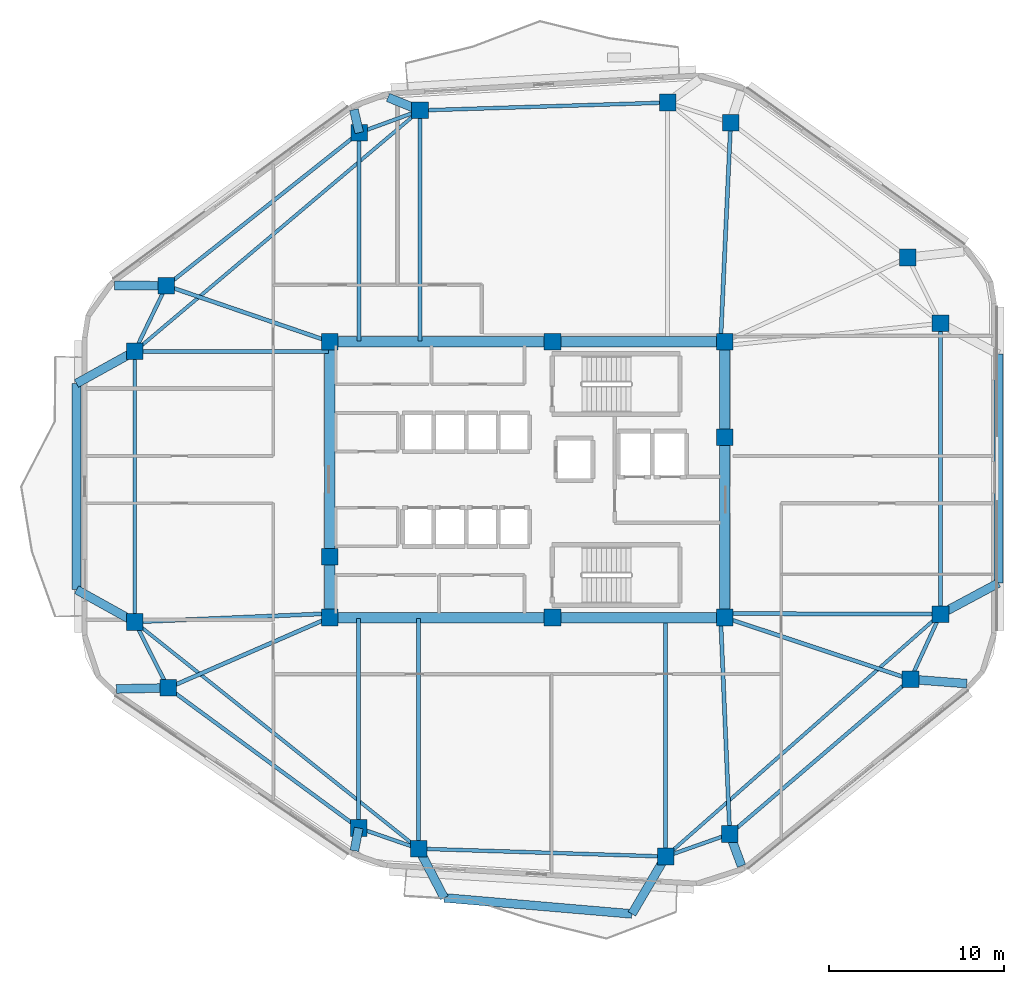
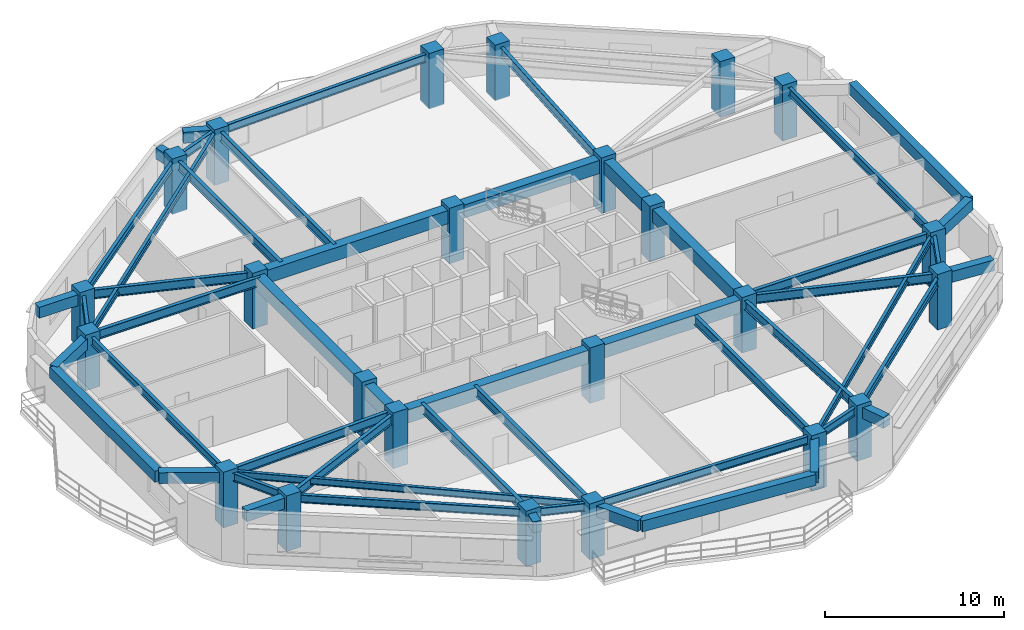
# One storey, part 1 of 9: 52 beams, 24 columns.
"""IFC4 building model written with IfcOpenShell, lengths in metres."""

from ifc_helpers import new_model, si_unit, direction, frame, origin, origin_2d, place, context, subcontext, project, spatial, rectangle, i_section, extrude, material, material_profile, profile_set, type_object, element, save


model = new_model("IFC4")

# Units and contexts
model_context = context("Model", 3, precision=1e-05, world=origin(), true_north=direction((0.0, 1.0)))
body_context = subcontext(model_context, "Body", "Model", "MODEL_VIEW")
ifc_project = project(units=[si_unit("LENGTHUNIT", "METRE"), si_unit("AREAUNIT", "SQUARE_METRE"), si_unit("VOLUMEUNIT", "CUBIC_METRE"), si_unit("PLANEANGLEUNIT", "RADIAN"), si_unit("MASSUNIT", "GRAM", prefix="KILO")], contexts=[model_context])

# Site, building, storey
site_placement = place(None, origin())
site = spatial("IfcSite", under=ifc_project, at=site_placement, CompositionType="ELEMENT")
building_placement = place(site_placement, origin())
building = spatial("IfcBuilding", under=site, at=building_placement, Name="Zulverin Broadcast Headquarters", CompositionType="ELEMENT")
storey_placement = place(building_placement, frame((0.0, 0.0, 212.39990234375)))
storey = spatial("IfcBuildingStorey", under=building, at=storey_placement, Name="L54", CompositionType="ELEMENT", Elevation=212.39990234375)

# Columns
ifc_material_1 = material(Name="Concrete C50/60", Category="concrete")
ifc_material_profile_1 = material_profile(ifc_material_1, rectangle(XDim=0.949951171875, YDim=0.949951171875, at=origin_2d()), Name="Concrete C50/60", Category="concrete")
ifc_profile_set_1 = profile_set([ifc_material_profile_1], Name="Concrete C50/60")
column_type_1 = type_object("IfcColumnType", Name="COL-RC-950", PredefinedType="COLUMN", material=ifc_profile_set_1)
for number, where, z_axis, x_axis, name in (
    (1, (30.80859375, 4.12744140625, 0.0), (0.0, 0.0, 1.0), (1.0, 0.0, 0.0), "L54 Perimeter Column T01"),
    (2, (44.909912109375, 3.68017578125, 0.0), (0.0, 0.0, 1.0), (1.0, 0.0, 0.0), "L54 Perimeter Column T02"),
    (3, (48.569580078125, 4.967041015625, 0.0), (0.0, 0.0, 1.0), (1.0, 0.0, 0.0), "L54 Perimeter Column T03"),
    (4, (58.886962890625, 13.798095703125, 0.0), (0.0, 0.0, 1.0), (1.0, 0.0, 0.0), "L54 Perimeter Column T04"),
    (5, (60.60009765625, 17.519287109375, 0.0), (0.0, 0.0, 1.0), (1.0, 0.0, 0.0), "L54 Perimeter Column T05"),
    (6, (60.60009765625, 34.12158203125, 0.0), (0.0, 0.0, 1.0), (1.0, 0.0, 0.0), "L54 Perimeter Column T06"),
    (7, (58.738037109375, 37.877685546875, 0.0), (0.0, 0.0, 1.0), (1.0, 0.0, 0.0), "L54 Perimeter Column T07"),
    (8, (48.62158203125, 45.574951171875, 0.0), (0.0, 0.0, 1.0), (1.0, 0.0, 0.0), "L54 Perimeter Column T08"),
    (9, (45.027587890625, 46.7236328125, 0.0), (0.0, 0.0, 1.0), (1.0, 0.0, 0.0), "L54 Perimeter Column T09"),
    (10, (30.882080078125, 46.27490234375, 0.0), (0.0, 0.0, 1.0), (1.0, 0.0, 0.0), "L54 Perimeter Column T10"),
    (11, (27.416259765625, 45.00439453125, 0.0), (0.0, 0.0, 1.0), (1.0, 0.0, 0.0), "L54 Perimeter Column T11"),
    (12, (16.40869140625, 36.26806640625, 0.0), (0.0, 0.0, 1.0), (1.0, 0.0, 0.0), "L54 Perimeter Column T12"),
    (13, (14.60009765625, 32.523193359375, 0.0), (0.0, 0.0, 1.0), (1.0, 0.0, 0.0), "L54 Perimeter Column T13"),
    (14, (14.60009765625, 17.072021484375, 0.0), (0.0, 0.0, 1.0), (1.0, 0.0, 0.0), "L54 Perimeter Column T14"),
    (15, (16.50537109375, 13.306884765625, 0.0), (0.0, 0.0, 1.0), (1.0, 0.0, 0.0), "L54 Perimeter Column T15"),
    (16, (27.38720703125, 5.309814453125, 0.0), (0.0, 0.0, 1.0), (1.0, 0.0, 0.0), "L54 Perimeter Column T16"),
):
    element("IfcColumn", number, at=place(storey_placement, frame(where, z_axis=z_axis, x_axis=x_axis)), inside=storey, type_object=column_type_1, Name=name, PredefinedType="COLUMN", context=body_context, shape_type="SweptSolid", body=[
        extrude(rectangle(XDim=0.949951171875, YDim=0.949951171875, at=origin_2d()), origin(), (0.0, 0.0, 1.0), 3.800048828125),
    ])
ifc_material_profile_2 = material_profile(ifc_material_1, rectangle(XDim=0.949951171875, YDim=0.949951171875, at=origin_2d()), Name="Concrete C50/60", Category="concrete")
ifc_profile_set_2 = profile_set([ifc_material_profile_2], Name="Concrete C50/60")
column_type_2 = type_object("IfcColumnType", Name="PIL-RC-950", PredefinedType="PILASTER", material=ifc_profile_set_2)
for number, where, z_axis, x_axis, name in (
    (17, (25.72509765625, 17.324951171875, 0.0), (0.0, 0.0, 1.0), (1.0, 0.0, 0.0), "L54 Core Pilaster K01"),
    (18, (38.449951171875, 17.324951171875, 0.0), (0.0, 0.0, 1.0), (1.0, 0.0, 0.0), "L54 Core Pilaster K02"),
    (19, (48.27490234375, 17.324951171875, 0.0), (0.0, 0.0, 1.0), (1.0, 0.0, 0.0), "L54 Core Pilaster K03"),
    (20, (48.27490234375, 27.6201171875, 0.0), (0.0, 0.0, 1.0), (1.0, 0.0, 0.0), "L54 Core Pilaster K04"),
    (21, (48.27490234375, 33.074951171875, 0.0), (0.0, 0.0, 1.0), (1.0, 0.0, 0.0), "L54 Core Pilaster K05"),
    (22, (38.449951171875, 33.074951171875, 0.0), (0.0, 0.0, 1.0), (1.0, 0.0, 0.0), "L54 Core Pilaster K06"),
    (23, (25.72509765625, 33.074951171875, 0.0), (0.0, 0.0, 1.0), (1.0, 0.0, 0.0), "L54 Core Pilaster K07"),
    (24, (25.72509765625, 20.800048828125, 0.0), (0.0, 0.0, 1.0), (1.0, 0.0, 0.0), "L54 Core Pilaster K08"),
):
    element("IfcColumn", number, at=place(storey_placement, frame(where, z_axis=z_axis, x_axis=x_axis)), inside=storey, type_object=column_type_2, Name=name, PredefinedType="PILASTER", context=body_context, shape_type="SweptSolid", body=[
        extrude(rectangle(XDim=0.949951171875, YDim=0.949951171875, at=origin_2d()), origin(), (0.0, 0.0, 1.0), 3.800048828125),
    ])

# Beams
ifc_material_2 = material(Name="Concrete C60/75", Category="concrete")
ifc_material_profile_3 = material_profile(ifc_material_2, rectangle(XDim=0.60009765625, YDim=0.89990234375, at=origin_2d()), Name="Concrete C60/75", Category="concrete")
ifc_profile_set_3 = profile_set([ifc_material_profile_3], Name="Concrete C60/75")
beam_type_1 = type_object("IfcBeamType", Name="BM-CB-600x900", PredefinedType="LINTEL", material=ifc_profile_set_3)
beam_1_placement = place(storey_placement, frame((25.72509765625, 17.324951171875, 3.090087890625), z_axis=(1.0, 0.0, 0.0), x_axis=(0.0, 1.0, 0.0)))
element("IfcBeam", 25, at=beam_1_placement, inside=storey, type_object=beam_type_1, Name="L54 Core Coupling Girder K01-K02", PredefinedType="LINTEL", context=body_context, shape_type="SweptSolid", body=[
    extrude(rectangle(XDim=0.60009765625, YDim=0.89990234375, at=origin_2d()), origin(), (0.0, 0.0, 1.0), 12.724853515625),
])
beam_2_placement = place(storey_placement, frame((38.449951171875, 17.324951171875, 3.090087890625), z_axis=(1.0, 0.0, 0.0), x_axis=(0.0, 1.0, 0.0)))
element("IfcBeam", 26, at=beam_2_placement, inside=storey, type_object=beam_type_1, Name="L54 Core Coupling Girder K02-K03", PredefinedType="LINTEL", context=body_context, shape_type="SweptSolid", body=[
    extrude(rectangle(XDim=0.60009765625, YDim=0.89990234375, at=origin_2d()), origin(), (0.0, 0.0, 1.0), 9.824951171875),
])
beam_3_placement = place(storey_placement, frame((48.27490234375, 17.324951171875, 3.090087890625), z_axis=(0.0, 1.0, 0.0), x_axis=(-1.0, 0.0, 0.0)))
element("IfcBeam", 27, at=beam_3_placement, inside=storey, type_object=beam_type_1, Name="L54 Core Coupling Girder K03-K04", PredefinedType="LINTEL", context=body_context, shape_type="SweptSolid", body=[
    extrude(rectangle(XDim=0.60009765625, YDim=0.89990234375, at=origin_2d()), origin(), (0.0, 0.0, 1.0), 10.295166015625),
])
beam_4_placement = place(storey_placement, frame((48.27490234375, 27.6201171875, 3.090087890625), z_axis=(0.0, 1.0, 0.0), x_axis=(-1.0, 0.0, 0.0)))
element("IfcBeam", 28, at=beam_4_placement, inside=storey, type_object=beam_type_1, Name="L54 Core Coupling Girder K04-K05", PredefinedType="LINTEL", context=body_context, shape_type="SweptSolid", body=[
    extrude(rectangle(XDim=0.60009765625, YDim=0.89990234375, at=origin_2d()), origin(), (0.0, 0.0, 1.0), 5.454833984375),
])
beam_5_placement = place(storey_placement, frame((48.27490234375, 33.074951171875, 3.090087890625), z_axis=(-1.0, 0.0, 0.0), x_axis=(0.0, -1.0, 0.0)))
element("IfcBeam", 29, at=beam_5_placement, inside=storey, type_object=beam_type_1, Name="L54 Core Coupling Girder K05-K06", PredefinedType="LINTEL", context=body_context, shape_type="SweptSolid", body=[
    extrude(rectangle(XDim=0.60009765625, YDim=0.89990234375, at=origin_2d()), origin(), (0.0, 0.0, 1.0), 9.824951171875),
])
beam_6_placement = place(storey_placement, frame((38.449951171875, 33.074951171875, 3.090087890625), z_axis=(-1.0, 0.0, 0.0), x_axis=(0.0, -1.0, 0.0)))
element("IfcBeam", 30, at=beam_6_placement, inside=storey, type_object=beam_type_1, Name="L54 Core Coupling Girder K06-K07", PredefinedType="LINTEL", context=body_context, shape_type="SweptSolid", body=[
    extrude(rectangle(XDim=0.60009765625, YDim=0.89990234375, at=origin_2d()), origin(), (0.0, 0.0, 1.0), 12.724853515625),
])
beam_7_placement = place(storey_placement, frame((25.72509765625, 33.074951171875, 3.090087890625), z_axis=(0.0, -1.0, 0.0), x_axis=(1.0, 0.0, 0.0)))
element("IfcBeam", 31, at=beam_7_placement, inside=storey, type_object=beam_type_1, Name="L54 Core Coupling Girder K07-K08", PredefinedType="LINTEL", context=body_context, shape_type="SweptSolid", body=[
    extrude(rectangle(XDim=0.60009765625, YDim=0.89990234375, at=origin_2d()), origin(), (0.0, 0.0, 1.0), 12.27490234375),
])
beam_8_placement = place(storey_placement, frame((25.72509765625, 20.800048828125, 3.090087890625), z_axis=(0.0, -1.0, 0.0), x_axis=(1.0, 0.0, 0.0)))
element("IfcBeam", 32, at=beam_8_placement, inside=storey, type_object=beam_type_1, Name="L54 Core Coupling Girder K08-K01", PredefinedType="LINTEL", context=body_context, shape_type="SweptSolid", body=[
    extrude(rectangle(XDim=0.60009765625, YDim=0.89990234375, at=origin_2d()), origin(), (0.0, 0.0, 1.0), 3.47509765625),
])
ifc_material_3 = material(Name="Concrete C40/50", Category="concrete")
ifc_material_profile_4 = material_profile(ifc_material_3, rectangle(XDim=0.5, YDim=0.75, at=origin_2d()), Name="Concrete C40/50", Category="concrete")
ifc_profile_set_4 = profile_set([ifc_material_profile_4], Name="Concrete C40/50")
beam_type_2 = type_object("IfcBeamType", Name="BM-RC-500x750", PredefinedType="BEAM", material=ifc_profile_set_4)
beam_9_placement = place(storey_placement, frame((48.569580078125, 4.967041015625, 3.1650390625), z_axis=(0.345752020663, -0.938325924297, 0.0), x_axis=(0.938325924297, 0.345752020663, 0.0)))
element("IfcBeam", 33, at=beam_9_placement, inside=storey, type_object=beam_type_2, Name="L55 Plate Overhang Back-Spanned Beam OVR-03", PredefinedType="BEAM", context=body_context, shape_type="SweptSolid", body=[
    extrude(rectangle(XDim=0.5, YDim=0.75, at=origin_2d()), origin(), (0.0, 0.0, 1.0), 1.939697265625),
])
beam_10_placement = place(storey_placement, frame((58.886962890625, 13.798095703125, 3.1650390625), z_axis=(0.997102032175, -0.076075866292, 0.0), x_axis=(0.076075866292, 0.997102032175, 0.0)))
element("IfcBeam", 34, at=beam_10_placement, inside=storey, type_object=beam_type_2, Name="L55 Plate Overhang Back-Spanned Beam OVR-04", PredefinedType="BEAM", context=body_context, shape_type="SweptSolid", body=[
    extrude(rectangle(XDim=0.5, YDim=0.75, at=origin_2d()), origin(), (0.0, 0.0, 1.0), 3.21875),
])
beam_11_placement = place(storey_placement, frame((30.882080078125, 46.27490234375, 3.1650390625), z_axis=(-0.925858251908, 0.377871006262, 0.0), x_axis=(-0.377871006262, -0.925858251908, 0.0)))
element("IfcBeam", 35, at=beam_11_placement, inside=storey, type_object=beam_type_2, Name="L55 Plate Overhang Back-Spanned Beam OVR-10", PredefinedType="BEAM", context=body_context, shape_type="SweptSolid", body=[
    extrude(rectangle(XDim=0.5, YDim=0.75, at=origin_2d()), origin(), (0.0, 0.0, 1.0), 1.971923828125),
])
beam_12_placement = place(storey_placement, frame((27.416259765625, 45.00439453125, 3.1650390625), z_axis=(-0.226537446689, 0.97400245649, 0.0), x_axis=(-0.97400245649, -0.226537446689, 0.0)))
element("IfcBeam", 36, at=beam_12_placement, inside=storey, type_object=beam_type_2, Name="L55 Plate Overhang Back-Spanned Beam OVR-11", PredefinedType="BEAM", context=body_context, shape_type="SweptSolid", body=[
    extrude(rectangle(XDim=0.5, YDim=0.75, at=origin_2d()), origin(), (0.0, 0.0, 1.0), 1.349365234375),
])
beam_13_placement = place(storey_placement, frame((16.40869140625, 36.26806640625, 3.1650390625), z_axis=(-0.999987827006, 0.004934150462, 0.0), x_axis=(-0.004934150462, -0.999987827006, 0.0)))
element("IfcBeam", 37, at=beam_13_placement, inside=storey, type_object=beam_type_2, Name="L55 Plate Overhang Back-Spanned Beam OVR-12", PredefinedType="BEAM", context=body_context, shape_type="SweptSolid", body=[
    extrude(rectangle(XDim=0.5, YDim=0.75, at=origin_2d()), origin(), (0.0, 0.0, 1.0), 2.96875),
])
beam_14_placement = place(storey_placement, frame((16.50537109375, 13.306884765625, 3.1650390625), z_axis=(-0.999808645539, -0.019562011805, 0.0), x_axis=(0.019562011805, -0.999808645539, 0.0)))
element("IfcBeam", 38, at=beam_14_placement, inside=storey, type_object=beam_type_2, Name="L55 Plate Overhang Back-Spanned Beam OVR-15", PredefinedType="BEAM", context=body_context, shape_type="SweptSolid", body=[
    extrude(rectangle(XDim=0.5, YDim=0.75, at=origin_2d()), origin(), (0.0, 0.0, 1.0), 2.957763671875),
])
beam_15_placement = place(storey_placement, frame((27.38720703125, 5.309814453125, 3.1650390625), z_axis=(-0.186527092112, -0.982449817501, 0.0), x_axis=(0.982449817501, -0.186527092112, 0.0)))
element("IfcBeam", 39, at=beam_15_placement, inside=storey, type_object=beam_type_2, Name="L55 Plate Overhang Back-Spanned Beam OVR-16", PredefinedType="BEAM", context=body_context, shape_type="SweptSolid", body=[
    extrude(rectangle(XDim=0.5, YDim=0.75, at=origin_2d()), origin(), (0.0, 0.0, 1.0), 1.3232421875),
])
beam_16_placement = place(storey_placement, frame((60.60009765625, 17.519287109375, 3.1650390625), z_axis=(0.881522552511, 0.472141916604, 0.0), x_axis=(-0.472141916604, 0.881522552511, 0.0)))
element("IfcBeam", 40, at=beam_16_placement, inside=storey, type_object=beam_type_2, Name="L55 Balcony Column-Framed Cantilever BAL_E-1", PredefinedType="BEAM", context=body_context, shape_type="SweptSolid", body=[
    extrude(rectangle(XDim=0.5, YDim=0.75, at=origin_2d()), origin(), (0.0, 0.0, 1.0), 3.75),
])
beam_17_placement = place(storey_placement, frame((63.90576171875, 19.289794921875, 3.1650390625), z_axis=(0.000298908969, 0.999999955327, 0.0), x_axis=(-0.999999955327, 0.000298908969, 0.0)))
element("IfcBeam", 41, at=beam_17_placement, inside=storey, type_object=beam_type_2, Name="L55 Balcony Outer Edge Trimmer Beam BAL_E", PredefinedType="BEAM", context=body_context, shape_type="SweptSolid", body=[
    extrude(rectangle(XDim=0.5, YDim=0.75, at=origin_2d()), origin(), (0.0, 0.0, 1.0), 13.068359375),
])
beam_18_placement = place(storey_placement, frame((30.80859375, 4.12744140625, 3.1650390625), z_axis=(0.461663742986, -0.887055008673, 0.0), x_axis=(0.887055008673, 0.461663742986, 0.0)))
element("IfcBeam", 42, at=beam_18_placement, inside=storey, type_object=beam_type_2, Name="L55 Balcony Column-Framed Cantilever BAL_S-1", PredefinedType="BEAM", context=body_context, shape_type="SweptSolid", body=[
    extrude(rectangle(XDim=0.5, YDim=0.75, at=origin_2d()), origin(), (0.0, 0.0, 1.0), 3.163330078125),
])
beam_19_placement = place(storey_placement, frame((44.909912109375, 3.68017578125, 3.1650390625), z_axis=(-0.506708442368, -0.862117482964, 0.0), x_axis=(0.862117482964, -0.506708442368, 0.0)))
element("IfcBeam", 43, at=beam_19_placement, inside=storey, type_object=beam_type_2, Name="L55 Balcony Column-Framed Cantilever BAL_S-2", PredefinedType="BEAM", context=body_context, shape_type="SweptSolid", body=[
    extrude(rectangle(XDim=0.5, YDim=0.75, at=origin_2d()), origin(), (0.0, 0.0, 1.0), 3.800048828125),
])
beam_20_placement = place(storey_placement, frame((32.26904296875, 1.3212890625, 3.1650390625), z_axis=(0.996356300804, -0.085288462568, 0.0), x_axis=(0.085288462568, 0.996356300804, 0.0)))
element("IfcBeam", 44, at=beam_20_placement, inside=storey, type_object=beam_type_2, Name="L55 Balcony Outer Edge Trimmer Beam BAL_S", PredefinedType="BEAM", context=body_context, shape_type="SweptSolid", body=[
    extrude(rectangle(XDim=0.5, YDim=0.75, at=origin_2d()), origin(), (0.0, 0.0, 1.0), 10.754638671875),
])
for number, where, z_axis, x_axis, name in (
    (45, (14.60009765625, 32.523193359375, 3.1650390625), (-0.875019567372, -0.484087550672, 0.0), (0.484087550672, -0.875019567372, 0.0), "L55 Balcony Column-Framed Cantilever BAL_W-1"),
    (46, (14.60009765625, 17.072021484375, 3.1650390625), (-0.874154245552, 0.485648386163, 0.0), (-0.485648386163, -0.874154245552, 0.0), "L55 Balcony Column-Framed Cantilever BAL_W-2"),
):
    element("IfcBeam", number, at=place(storey_placement, frame(where, z_axis=z_axis, x_axis=x_axis)), inside=storey, type_object=beam_type_2, Name=name, PredefinedType="BEAM", context=body_context, shape_type="SweptSolid", body=[
        extrude(rectangle(XDim=0.5, YDim=0.75, at=origin_2d()), origin(), (0.0, 0.0, 1.0), 3.800048828125),
    ])
beam_21_placement = place(storey_placement, frame((11.27490234375, 30.68359375, 3.1650390625), z_axis=(0.00029049258, -0.999999957807, 0.0), x_axis=(0.999999957807, 0.00029049258, 0.0)))
element("IfcBeam", 47, at=beam_21_placement, inside=storey, type_object=beam_type_2, Name="L55 Balcony Outer Edge Trimmer Beam BAL_W", PredefinedType="BEAM", context=body_context, shape_type="SweptSolid", body=[
    extrude(rectangle(XDim=0.5, YDim=0.75, at=origin_2d()), origin(), (0.0, 0.0, 1.0), 11.76611328125),
])
ifc_material_4 = material(Name="Structural steel S355JR", Category="steel")
ifc_material_profile_5 = material_profile(ifc_material_4, i_section(OverallWidth=0.19287109375, OverallDepth=0.46728515625, WebThickness=0.011474609375, FlangeThickness=0.01953125, at=origin_2d()), Name="Structural steel S355JR", Category="steel")
ifc_profile_set_5 = profile_set([ifc_material_profile_5], Name="Structural steel S355JR")
beam_type_3 = type_object("IfcBeamType", Name="BM-UB-457", PredefinedType="JOIST", material=ifc_profile_set_5)
beam_22_placement = place(storey_placement, frame((44.909912109375, 3.68017578125, 3.306396484375), z_axis=(0.74996043981, 0.661482682102, 0.0), x_axis=(-0.661482682102, 0.74996043981, 0.0)))
element("IfcBeam", 48, at=beam_22_placement, inside=storey, type_object=beam_type_3, Name="L54 Chordal Floor Joist J-01", PredefinedType="JOIST", context=body_context, shape_type="SweptSolid", body=[
    extrude(i_section(OverallWidth=0.19287109375, OverallDepth=0.46728515625, WebThickness=0.011474609375, FlangeThickness=0.01953125, at=origin_2d()), origin(), (0.0, 0.0, 1.0), 20.92138671875),
])
beam_23_placement = place(storey_placement, frame((30.882080078125, 46.27490234375, 3.306396484375), z_axis=(-0.763972566446, -0.645248725468, 0.0), x_axis=(0.645248725468, -0.763972566446, 0.0)))
element("IfcBeam", 49, at=beam_23_placement, inside=storey, type_object=beam_type_3, Name="L54 Chordal Floor Joist J-03", PredefinedType="JOIST", context=body_context, shape_type="SweptSolid", body=[
    extrude(i_section(OverallWidth=0.19287109375, OverallDepth=0.46728515625, WebThickness=0.011474609375, FlangeThickness=0.01953125, at=origin_2d()), origin(), (0.0, 0.0, 1.0), 21.312255859375),
])
beam_24_placement = place(storey_placement, frame((14.60009765625, 17.072021484375, 3.306396484375), z_axis=(0.781390996609, -0.624041753746, 0.0), x_axis=(0.624041753746, 0.781390996609, 0.0)))
element("IfcBeam", 50, at=beam_24_placement, inside=storey, type_object=beam_type_3, Name="L54 Chordal Floor Joist J-04", PredefinedType="JOIST", context=body_context, shape_type="SweptSolid", body=[
    extrude(i_section(OverallWidth=0.19287109375, OverallDepth=0.46728515625, WebThickness=0.011474609375, FlangeThickness=0.01953125, at=origin_2d()), origin(), (0.0, 0.0, 1.0), 20.7431640625),
])
ifc_material_profile_6 = material_profile(ifc_material_4, i_section(OverallWidth=0.2119140625, OverallDepth=0.54443359375, WebThickness=0.0126953125, FlangeThickness=0.021240234375, at=origin_2d()), Name="Structural steel S355JR", Category="steel")
ifc_profile_set_6 = profile_set([ifc_material_profile_6], Name="Structural steel S355JR")
beam_type_4 = type_object("IfcBeamType", Name="BM-UB-533", PredefinedType="SPANDREL", material=ifc_profile_set_6)
beam_25_placement = place(storey_placement, frame((30.80859375, 4.12744140625, 3.267822265625), z_axis=(0.999497363437, -0.031702058031, 0.0), x_axis=(0.031702058031, 0.999497363437, 0.0)))
element("IfcBeam", 51, at=beam_25_placement, inside=storey, type_object=beam_type_4, Name="L54 Perimeter Spandrel Beam SP-01", PredefinedType="SPANDREL", context=body_context, shape_type="SweptSolid", body=[
    extrude(i_section(OverallWidth=0.2119140625, OverallDepth=0.54443359375, WebThickness=0.0126953125, FlangeThickness=0.021240234375, at=origin_2d()), origin(), (0.0, 0.0, 1.0), 14.1083984375),
])
beam_26_placement = place(storey_placement, frame((44.909912109375, 3.68017578125, 3.267822265625), z_axis=(0.943376593622, 0.331723684121, 0.0), x_axis=(-0.331723684121, 0.943376593622, 0.0)))
element("IfcBeam", 52, at=beam_26_placement, inside=storey, type_object=beam_type_4, Name="L54 Perimeter Spandrel Beam SP-02", PredefinedType="SPANDREL", context=body_context, shape_type="SweptSolid", body=[
    extrude(i_section(OverallWidth=0.2119140625, OverallDepth=0.54443359375, WebThickness=0.0126953125, FlangeThickness=0.021240234375, at=origin_2d()), origin(), (0.0, 0.0, 1.0), 3.87939453125),
])
beam_27_placement = place(storey_placement, frame((48.569580078125, 4.967041015625, 3.267822265625), z_axis=(0.759708170965, 0.650264173217, 0.0), x_axis=(-0.650264173217, 0.759708170965, 0.0)))
element("IfcBeam", 53, at=beam_27_placement, inside=storey, type_object=beam_type_4, Name="L54 Perimeter Spandrel Beam SP-03", PredefinedType="SPANDREL", context=body_context, shape_type="SweptSolid", body=[
    extrude(i_section(OverallWidth=0.2119140625, OverallDepth=0.54443359375, WebThickness=0.0126953125, FlangeThickness=0.021240234375, at=origin_2d()), origin(), (0.0, 0.0, 1.0), 13.580810546875),
])
beam_28_placement = place(storey_placement, frame((58.886962890625, 13.798095703125, 3.267822265625), z_axis=(0.418184975358, 0.90836189175, 0.0), x_axis=(-0.90836189175, 0.418184975358, 0.0)))
element("IfcBeam", 54, at=beam_28_placement, inside=storey, type_object=beam_type_4, Name="L54 Perimeter Spandrel Beam SP-04", PredefinedType="SPANDREL", context=body_context, shape_type="SweptSolid", body=[
    extrude(i_section(OverallWidth=0.2119140625, OverallDepth=0.54443359375, WebThickness=0.0126953125, FlangeThickness=0.021240234375, at=origin_2d()), origin(), (0.0, 0.0, 1.0), 4.0966796875),
])
beam_29_placement = place(storey_placement, frame((60.60009765625, 17.519287109375, 3.267822265625), z_axis=(0.0, 1.0, 0.0), x_axis=(-1.0, 0.0, 0.0)))
element("IfcBeam", 55, at=beam_29_placement, inside=storey, type_object=beam_type_4, Name="L54 Perimeter Spandrel Beam SP-05", PredefinedType="SPANDREL", context=body_context, shape_type="SweptSolid", body=[
    extrude(i_section(OverallWidth=0.2119140625, OverallDepth=0.54443359375, WebThickness=0.0126953125, FlangeThickness=0.021240234375, at=origin_2d()), origin(), (0.0, 0.0, 1.0), 16.602294921875),
])
beam_30_placement = place(storey_placement, frame((45.027587890625, 46.7236328125, 3.267822265625), z_axis=(-0.999497221833, -0.031706522156, 0.0), x_axis=(0.031706522156, -0.999497221833, 0.0)))
element("IfcBeam", 56, at=beam_30_placement, inside=storey, type_object=beam_type_4, Name="L54 Perimeter Spandrel Beam SP-09", PredefinedType="SPANDREL", context=body_context, shape_type="SweptSolid", body=[
    extrude(i_section(OverallWidth=0.2119140625, OverallDepth=0.54443359375, WebThickness=0.0126953125, FlangeThickness=0.021240234375, at=origin_2d()), origin(), (0.0, 0.0, 1.0), 14.152587890625),
])
beam_31_placement = place(storey_placement, frame((30.882080078125, 46.27490234375, 3.267822265625), z_axis=(-0.938901965426, -0.344184687805, 0.0), x_axis=(0.344184687805, -0.938901965426, 0.0)))
element("IfcBeam", 57, at=beam_31_placement, inside=storey, type_object=beam_type_4, Name="L54 Perimeter Spandrel Beam SP-10", PredefinedType="SPANDREL", context=body_context, shape_type="SweptSolid", body=[
    extrude(i_section(OverallWidth=0.2119140625, OverallDepth=0.54443359375, WebThickness=0.0126953125, FlangeThickness=0.021240234375, at=origin_2d()), origin(), (0.0, 0.0, 1.0), 3.69140625),
])
beam_32_placement = place(storey_placement, frame((27.416259765625, 45.00439453125, 3.267822265625), z_axis=(-0.783283263401, -0.621664965457, 0.0), x_axis=(0.621664965457, -0.783283263401, 0.0)))
element("IfcBeam", 58, at=beam_32_placement, inside=storey, type_object=beam_type_4, Name="L54 Perimeter Spandrel Beam SP-11", PredefinedType="SPANDREL", context=body_context, shape_type="SweptSolid", body=[
    extrude(i_section(OverallWidth=0.2119140625, OverallDepth=0.54443359375, WebThickness=0.0126953125, FlangeThickness=0.021240234375, at=origin_2d()), origin(), (0.0, 0.0, 1.0), 14.05322265625),
])
beam_33_placement = place(storey_placement, frame((16.40869140625, 36.26806640625, 3.267822265625), z_axis=(-0.434890248034, -0.900483465792, 0.0), x_axis=(0.900483465792, -0.434890248034, 0.0)))
element("IfcBeam", 59, at=beam_33_placement, inside=storey, type_object=beam_type_4, Name="L54 Perimeter Spandrel Beam SP-12", PredefinedType="SPANDREL", context=body_context, shape_type="SweptSolid", body=[
    extrude(i_section(OverallWidth=0.2119140625, OverallDepth=0.54443359375, WebThickness=0.0126953125, FlangeThickness=0.021240234375, at=origin_2d()), origin(), (0.0, 0.0, 1.0), 4.15869140625),
])
beam_34_placement = place(storey_placement, frame((14.60009765625, 32.523193359375, 3.267822265625), z_axis=(0.0, -1.0, 0.0), x_axis=(1.0, 0.0, 0.0)))
element("IfcBeam", 60, at=beam_34_placement, inside=storey, type_object=beam_type_4, Name="L54 Perimeter Spandrel Beam SP-13", PredefinedType="SPANDREL", context=body_context, shape_type="SweptSolid", body=[
    extrude(i_section(OverallWidth=0.2119140625, OverallDepth=0.54443359375, WebThickness=0.0126953125, FlangeThickness=0.021240234375, at=origin_2d()), origin(), (0.0, 0.0, 1.0), 15.451171875),
])
beam_35_placement = place(storey_placement, frame((14.60009765625, 17.072021484375, 3.267822265625), z_axis=(0.451512947895, -0.892264567201, 0.0), x_axis=(0.892264567201, 0.451512947895, 0.0)))
element("IfcBeam", 61, at=beam_35_placement, inside=storey, type_object=beam_type_4, Name="L54 Perimeter Spandrel Beam SP-14", PredefinedType="SPANDREL", context=body_context, shape_type="SweptSolid", body=[
    extrude(i_section(OverallWidth=0.2119140625, OverallDepth=0.54443359375, WebThickness=0.0126953125, FlangeThickness=0.021240234375, at=origin_2d()), origin(), (0.0, 0.0, 1.0), 4.2197265625),
])
beam_36_placement = place(storey_placement, frame((16.50537109375, 13.306884765625, 3.267822265625), z_axis=(0.805802234061, -0.592184734338, 0.0), x_axis=(0.592184734338, 0.805802234061, 0.0)))
element("IfcBeam", 62, at=beam_36_placement, inside=storey, type_object=beam_type_4, Name="L54 Perimeter Spandrel Beam SP-15", PredefinedType="SPANDREL", context=body_context, shape_type="SweptSolid", body=[
    extrude(i_section(OverallWidth=0.2119140625, OverallDepth=0.54443359375, WebThickness=0.0126953125, FlangeThickness=0.021240234375, at=origin_2d()), origin(), (0.0, 0.0, 1.0), 13.50439453125),
])
beam_37_placement = place(storey_placement, frame((27.38720703125, 5.309814453125, 3.267822265625), z_axis=(0.945152732867, -0.326628705956, 0.0), x_axis=(0.326628705956, 0.945152732867, 0.0)))
element("IfcBeam", 63, at=beam_37_placement, inside=storey, type_object=beam_type_4, Name="L54 Perimeter Spandrel Beam SP-16", PredefinedType="SPANDREL", context=body_context, shape_type="SweptSolid", body=[
    extrude(i_section(OverallWidth=0.2119140625, OverallDepth=0.54443359375, WebThickness=0.0126953125, FlangeThickness=0.021240234375, at=origin_2d()), origin(), (0.0, 0.0, 1.0), 3.619873046875),
])
ifc_material_profile_7 = material_profile(ifc_material_4, i_section(OverallWidth=0.230224609375, OverallDepth=0.6171875, WebThickness=0.01318359375, FlangeThickness=0.022216796875, at=origin_2d()), Name="Structural steel S355JR", Category="steel")
ifc_profile_set_7 = profile_set([ifc_material_profile_7], Name="Structural steel S355JR")
beam_type_5 = type_object("IfcBeamType", Name="BM-UB-610", PredefinedType="BEAM", material=ifc_profile_set_7)
beam_38_placement = place(storey_placement, frame((30.80859375, 17.27490234375, 3.2314453125), z_axis=(0.0, -1.0, 0.0), x_axis=(1.0, 0.0, 0.0)))
element("IfcBeam", 64, at=beam_38_placement, inside=storey, type_object=beam_type_5, Name="L54 Radial Primary Floor Beam RB-01", PredefinedType="BEAM", context=body_context, shape_type="SweptSolid", body=[
    extrude(i_section(OverallWidth=0.230224609375, OverallDepth=0.6171875, WebThickness=0.01318359375, FlangeThickness=0.022216796875, at=origin_2d()), origin(), (0.0, 0.0, 1.0), 13.1474609375),
])
beam_39_placement = place(storey_placement, frame((44.909912109375, 17.27490234375, 3.2314453125), z_axis=(0.0, -1.0, 0.0), x_axis=(1.0, 0.0, 0.0)))
element("IfcBeam", 65, at=beam_39_placement, inside=storey, type_object=beam_type_5, Name="L54 Radial Primary Floor Beam RB-02", PredefinedType="BEAM", context=body_context, shape_type="SweptSolid", body=[
    extrude(i_section(OverallWidth=0.230224609375, OverallDepth=0.6171875, WebThickness=0.01318359375, FlangeThickness=0.022216796875, at=origin_2d()), origin(), (0.0, 0.0, 1.0), 13.5947265625),
])
beam_40_placement = place(storey_placement, frame((48.050048828125, 17.27490234375, 3.2314453125), z_axis=(0.042173778549, -0.99911029041, 0.0), x_axis=(0.99911029041, 0.042173778549, 0.0)))
element("IfcBeam", 66, at=beam_40_placement, inside=storey, type_object=beam_type_5, Name="L54 Radial Primary Floor Beam RB-03", PredefinedType="BEAM", context=body_context, shape_type="SweptSolid", body=[
    extrude(i_section(OverallWidth=0.230224609375, OverallDepth=0.6171875, WebThickness=0.01318359375, FlangeThickness=0.022216796875, at=origin_2d()), origin(), (0.0, 0.0, 1.0), 12.31884765625),
])
beam_41_placement = place(storey_placement, frame((48.27490234375, 17.324951171875, 3.2314453125), z_axis=(0.948964552547, -0.315382748432, 0.0), x_axis=(0.315382748432, 0.948964552547, 0.0)))
element("IfcBeam", 67, at=beam_41_placement, inside=storey, type_object=beam_type_5, Name="L54 Radial Primary Floor Beam RB-04", PredefinedType="BEAM", context=body_context, shape_type="SweptSolid", body=[
    extrude(i_section(OverallWidth=0.230224609375, OverallDepth=0.6171875, WebThickness=0.01318359375, FlangeThickness=0.022216796875, at=origin_2d()), origin(), (0.0, 0.0, 1.0), 11.182861328125),
])
beam_42_placement = place(storey_placement, frame((48.324951171875, 17.550048828125, 3.2314453125), z_axis=(0.999996859956, -0.002506008559, 0.0), x_axis=(0.002506008559, 0.999996859956, 0.0)))
element("IfcBeam", 68, at=beam_42_placement, inside=storey, type_object=beam_type_5, Name="L54 Radial Primary Floor Beam RB-05", PredefinedType="BEAM", context=body_context, shape_type="SweptSolid", body=[
    extrude(i_section(OverallWidth=0.230224609375, OverallDepth=0.6171875, WebThickness=0.01318359375, FlangeThickness=0.022216796875, at=origin_2d()), origin(), (0.0, 0.0, 1.0), 12.275146484375),
])
beam_43_placement = place(storey_placement, frame((48.050048828125, 33.125, 3.2314453125), z_axis=(0.045858166026, 0.998947960911, 0.0), x_axis=(-0.998947960911, 0.045858166026, 0.0)))
element("IfcBeam", 69, at=beam_43_placement, inside=storey, type_object=beam_type_5, Name="L54 Radial Primary Floor Beam RB-08", PredefinedType="BEAM", context=body_context, shape_type="SweptSolid", body=[
    extrude(i_section(OverallWidth=0.230224609375, OverallDepth=0.6171875, WebThickness=0.01318359375, FlangeThickness=0.022216796875, at=origin_2d()), origin(), (0.0, 0.0, 1.0), 12.463134765625),
])
beam_44_placement = place(storey_placement, frame((30.882080078125, 33.125, 3.2314453125), z_axis=(0.0, 1.0, 0.0), x_axis=(-1.0, 0.0, 0.0)))
element("IfcBeam", 70, at=beam_44_placement, inside=storey, type_object=beam_type_5, Name="L54 Radial Primary Floor Beam RB-10", PredefinedType="BEAM", context=body_context, shape_type="SweptSolid", body=[
    extrude(i_section(OverallWidth=0.230224609375, OverallDepth=0.6171875, WebThickness=0.01318359375, FlangeThickness=0.022216796875, at=origin_2d()), origin(), (0.0, 0.0, 1.0), 13.14990234375),
])
beam_45_placement = place(storey_placement, frame((27.416259765625, 33.125, 3.2314453125), z_axis=(0.0, 1.0, 0.0), x_axis=(-1.0, 0.0, 0.0)))
element("IfcBeam", 71, at=beam_45_placement, inside=storey, type_object=beam_type_5, Name="L54 Radial Primary Floor Beam RB-11", PredefinedType="BEAM", context=body_context, shape_type="SweptSolid", body=[
    extrude(i_section(OverallWidth=0.230224609375, OverallDepth=0.6171875, WebThickness=0.01318359375, FlangeThickness=0.022216796875, at=origin_2d()), origin(), (0.0, 0.0, 1.0), 11.87939453125),
])
beam_46_placement = place(storey_placement, frame((25.72509765625, 33.074951171875, 3.2314453125), z_axis=(-0.945979621685, 0.324226086793, 0.0), x_axis=(-0.324226086793, -0.945979621685, 0.0)))
element("IfcBeam", 72, at=beam_46_placement, inside=storey, type_object=beam_type_5, Name="L54 Radial Primary Floor Beam RB-12", PredefinedType="BEAM", context=body_context, shape_type="SweptSolid", body=[
    extrude(i_section(OverallWidth=0.230224609375, OverallDepth=0.6171875, WebThickness=0.01318359375, FlangeThickness=0.022216796875, at=origin_2d()), origin(), (0.0, 0.0, 1.0), 9.848388671875),
])
beam_47_placement = place(storey_placement, frame((25.675048828125, 32.523193359375, 3.2314453125), z_axis=(-1.0, 0.0, 0.0), x_axis=(0.0, -1.0, 0.0)))
element("IfcBeam", 73, at=beam_47_placement, inside=storey, type_object=beam_type_5, Name="L54 Radial Primary Floor Beam RB-13", PredefinedType="BEAM", context=body_context, shape_type="SweptSolid", body=[
    extrude(i_section(OverallWidth=0.230224609375, OverallDepth=0.6171875, WebThickness=0.01318359375, FlangeThickness=0.022216796875, at=origin_2d()), origin(), (0.0, 0.0, 1.0), 11.074951171875),
])
beam_48_placement = place(storey_placement, frame((25.675048828125, 17.550048828125, 3.2314453125), z_axis=(-0.999069780306, -0.043122779134, 0.0), x_axis=(0.043122779134, -0.999069780306, 0.0)))
element("IfcBeam", 74, at=beam_48_placement, inside=storey, type_object=beam_type_5, Name="L54 Radial Primary Floor Beam RB-14", PredefinedType="BEAM", context=body_context, shape_type="SweptSolid", body=[
    extrude(i_section(OverallWidth=0.230224609375, OverallDepth=0.6171875, WebThickness=0.01318359375, FlangeThickness=0.022216796875, at=origin_2d()), origin(), (0.0, 0.0, 1.0), 11.085205078125),
])
beam_49_placement = place(storey_placement, frame((25.72509765625, 17.324951171875, 3.2314453125), z_axis=(-0.916724690104, -0.39951951461, 0.0), x_axis=(0.39951951461, -0.916724690104, 0.0)))
element("IfcBeam", 75, at=beam_49_placement, inside=storey, type_object=beam_type_5, Name="L54 Radial Primary Floor Beam RB-15", PredefinedType="BEAM", context=body_context, shape_type="SweptSolid", body=[
    extrude(i_section(OverallWidth=0.230224609375, OverallDepth=0.6171875, WebThickness=0.01318359375, FlangeThickness=0.022216796875, at=origin_2d()), origin(), (0.0, 0.0, 1.0), 10.05712890625),
])
beam_50_placement = place(storey_placement, frame((27.38720703125, 17.27490234375, 3.2314453125), z_axis=(0.0, -1.0, 0.0), x_axis=(1.0, 0.0, 0.0)))
element("IfcBeam", 76, at=beam_50_placement, inside=storey, type_object=beam_type_5, Name="L54 Radial Primary Floor Beam RB-16", PredefinedType="BEAM", context=body_context, shape_type="SweptSolid", body=[
    extrude(i_section(OverallWidth=0.230224609375, OverallDepth=0.6171875, WebThickness=0.01318359375, FlangeThickness=0.022216796875, at=origin_2d()), origin(), (0.0, 0.0, 1.0), 11.965087890625),
])

save(model, "model.ifc")
